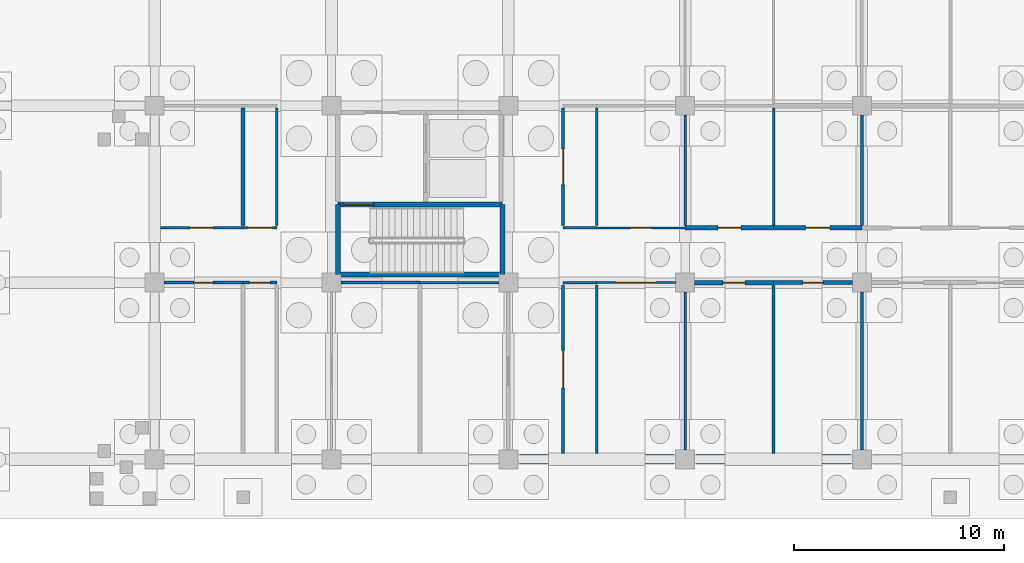
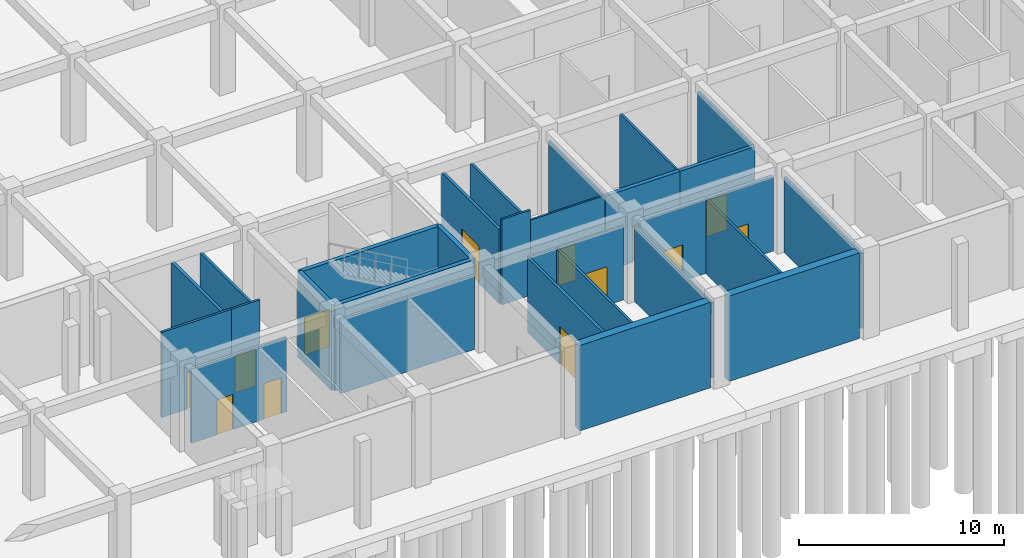
# One storey, part 33 of 65: 32 walls, 13 doors, 13 openings.
"""IFC4 building model written with IfcOpenShell, lengths in metres."""

from ifc_helpers import new_model, si_unit, direction, frame, frame_2d, origin, place, context, subcontext, project, spatial, rectangle, extrude, material, layer, layer_set, type_object, element, fill, save


model = new_model("IFC4")

# Units and contexts
model_context = context("Model", 3, precision=1e-05, world=origin(), true_north=direction((0.0, 1.0)))
body_context = subcontext(model_context, "Body", "Model", "MODEL_VIEW")
ifc_project = project(units=[si_unit("LENGTHUNIT", "METRE"), si_unit("AREAUNIT", "SQUARE_METRE"), si_unit("VOLUMEUNIT", "CUBIC_METRE"), si_unit("PLANEANGLEUNIT", "RADIAN"), si_unit("MASSUNIT", "GRAM", prefix="KILO")], contexts=[model_context])

# Site, building, storey
site_placement = place(None, origin())
site = spatial("IfcSite", under=ifc_project, at=site_placement, CompositionType="ELEMENT")
building_placement = place(site_placement, origin())
building = spatial("IfcBuilding", under=site, at=building_placement, Name="Bramfleet General Hospital", CompositionType="ELEMENT")
storey_placement = place(building_placement, frame((0.0, 0.0, -5.39990234375)))
storey = spatial("IfcBuildingStorey", under=building, at=storey_placement, Name="B1", CompositionType="ELEMENT", Elevation=-5.39990234375)

# Walls
ifc_material_1 = material(Name="Concrete C35/45", Category="concrete")
ifc_layer_1 = layer(ifc_material_1, 0.449951171875, Name="WT-EW-01")
ifc_layer_set_1 = layer_set([ifc_layer_1], Name="Concrete C35/45")
wall_type_1 = type_object("IfcWallType", Name="WT-EW-01", PredefinedType="SOLIDWALL", material=ifc_layer_set_1)
wall_1_placement = place(storey_placement, frame((125.47509765625, 0.0, 0.0), z_axis=(0.0, 0.0, 1.0), x_axis=(-1.0, 0.0, 0.0)))
element("IfcWall", 1, at=wall_1_placement, inside=storey, type_object=wall_type_1, Name="B1 Waterproof Retaining Wall 71", PredefinedType="SOLIDWALL", context=body_context, shape_type="SweptSolid", body=[
    extrude(rectangle(XDim=7.35009765625, YDim=0.449951171875, at=frame_2d((3.675048828125, 0.0))), origin(), (0.0, 0.0, 1.0), 5.079833984375),
])
wall_2_placement = place(storey_placement, frame((117.074951171875, 0.0, 0.0), z_axis=(0.0, 0.0, 1.0), x_axis=(-1.0, 0.0, 0.0)))
element("IfcWall", 2, at=wall_2_placement, inside=storey, type_object=wall_type_1, Name="B1 Waterproof Retaining Wall 72", PredefinedType="SOLIDWALL", context=body_context, shape_type="SweptSolid", body=[
    extrude(rectangle(XDim=7.349853515625, YDim=0.449951171875, at=frame_2d((3.6748046875, 0.0))), origin(), (0.0, 0.0, 1.0), 5.079833984375),
])

# Wall, opening, door
ifc_layer_2 = layer(ifc_material_1, 0.219970703125, Name="WT-IW-01")
ifc_layer_set_2 = layer_set([ifc_layer_2], Name="Concrete C35/45")
wall_type_2 = type_object("IfcWallType", Name="WT-IW-01", PredefinedType="PARTITIONING", material=ifc_layer_set_2)
wall_3_placement = place(storey_placement, frame((118.044921875, 8.39990234375, 0.0), z_axis=(0.0, 0.0, 1.0), x_axis=(1.0, 0.0, 0.0)))
wall_3 = element("IfcWall", 3, at=wall_3_placement, inside=storey, type_object=wall_type_2, Name="B1 Interior Partition IW-B1-0013", PredefinedType="PARTITIONING", context=body_context, shape_type="SweptSolid", body=[
    extrude(rectangle(XDim=3.755126953125, YDim=0.219970703125, at=frame_2d((1.87744140625, 0.0))), origin(), (0.0, 0.0, 1.0), 4.419921875),
])
opening_1_placement = place(wall_3_placement, frame((1.3525390625, 0.0, 0.0)))
opening_1 = element("IfcOpeningElement", 4, at=opening_1_placement, cuts=wall_3, Name="Opening D0329", PredefinedType="OPENING", context=body_context, shape_type="SweptSolid", body=[
    extrude(rectangle(XDim=1.050048828125, YDim=2.14990234375, at=frame_2d((0.52490234375, 1.074951171875))), frame((0.0, 0.119873046875, 0.0), z_axis=(0.0, -1.0, 0.0), x_axis=(1.0, 0.0, 0.0)), (0.0, 0.0, 1.0), 0.239990234375),
])
ifc_material_2 = material(Name="Stainless steel and acoustic timber leaf", Category="steel")
door_type_1 = type_object("IfcDoorType", Name="DR-D-09", OperationType="NOTDEFINED", PredefinedType="DOOR", material=ifc_material_2)
door_1_placement = place(opening_1_placement, origin())
door_1 = element("IfcDoor", 5, at=door_1_placement, inside=storey, type_object=door_type_1, Name="Clean Medical Supply Store B1-1400 Door D0329", OperationType="SINGLE_SWING_RIGHT", OverallHeight=2.14990234375, OverallWidth=1.050048828125, PredefinedType="DOOR", context=body_context, shape_type="SweptSolid", body=[
    extrude(rectangle(XDim=1.050048828125, YDim=2.14990234375, at=frame_2d((0.52490234375, 1.074951171875))), frame((0.0, 0.02490234375, 0.0), z_axis=(0.0, -1.0, 0.0), x_axis=(1.0, 0.0, 0.0)), (0.0, 0.0, 1.0), 0.050048828125),
])
fill(opening_1, door_1)

wall_4_placement = place(storey_placement, frame((117.60009765625, 11.0, 0.0), z_axis=(0.0, 0.0, 1.0), x_axis=(1.0, 0.0, 0.0)))
wall_4 = element("IfcWall", 6, at=wall_4_placement, inside=storey, type_object=wall_type_2, Name="B1 Interior Partition IW-B1-0037", PredefinedType="PARTITIONING", context=body_context, shape_type="SweptSolid", body=[
    extrude(rectangle(XDim=4.199951171875, YDim=0.219970703125, at=frame_2d((2.10009765625, 0.0))), origin(), (0.0, 0.0, 1.0), 4.469970703125),
])
opening_2_placement = place(wall_4_placement, frame((1.550048828125, 0.0, 0.0)))
opening_2 = element("IfcOpeningElement", 7, at=opening_2_placement, cuts=wall_4, Name="Opening D0331", PredefinedType="OPENING", context=body_context, shape_type="SweptSolid", body=[
    extrude(rectangle(XDim=1.10009765625, YDim=2.14990234375, at=frame_2d((0.550048828125, 1.074951171875))), frame((0.0, 0.119873046875, 0.0), z_axis=(0.0, -1.0, 0.0), x_axis=(1.0, 0.0, 0.0)), (0.0, 0.0, 1.0), 0.239990234375),
])
door_type_2 = type_object("IfcDoorType", Name="DR-D-11", OperationType="NOTDEFINED", PredefinedType="DOOR", material=ifc_material_2)
door_2_placement = place(opening_2_placement, origin())
door_2 = element("IfcDoor", 8, at=door_2_placement, inside=storey, type_object=door_type_2, Name="Clean Medical Supply Store B1-1401 Door D0331", OperationType="SINGLE_SWING_RIGHT", OverallHeight=2.14990234375, OverallWidth=1.10009765625, PredefinedType="DOOR", context=body_context, shape_type="SweptSolid", body=[
    extrude(rectangle(XDim=1.10009765625, YDim=2.14990234375, at=frame_2d((0.550048828125, 1.074951171875))), frame((0.0, 0.02490234375, 0.0), z_axis=(0.0, -1.0, 0.0), x_axis=(1.0, 0.0, 0.0)), (0.0, 0.0, 1.0), 0.050048828125),
])
fill(opening_2, door_2)

ifc_layer_3 = layer(ifc_material_1, 0.205078125, Name="WT-IW-02")
ifc_layer_set_3 = layer_set([ifc_layer_3], Name="Concrete C35/45")
wall_type_3 = type_object("IfcWallType", Name="WT-IW-02", PredefinedType="PARTITIONING", material=ifc_layer_set_3)
wall_5_placement = place(storey_placement, frame((121.800048828125, 8.39990234375, 0.0), z_axis=(0.0, 0.0, 1.0), x_axis=(1.0, 0.0, 0.0)))
wall_5 = element("IfcWall", 9, at=wall_5_placement, inside=storey, type_object=wall_type_3, Name="B1 Interior Partition IW-B1-0014", PredefinedType="PARTITIONING", context=body_context, shape_type="SweptSolid", body=[
    extrude(rectangle(XDim=3.7548828125, YDim=0.205078125, at=frame_2d((1.87744140625, 0.0))), origin(), (0.0, 0.0, 1.0), 4.419921875),
])
opening_3_placement = place(wall_5_placement, frame((1.402587890625, 0.0, 0.0)))
opening_3 = element("IfcOpeningElement", 10, at=opening_3_placement, cuts=wall_5, Name="Opening D0330", PredefinedType="OPENING", context=body_context, shape_type="SweptSolid", body=[
    extrude(rectangle(XDim=0.949951171875, YDim=2.10009765625, at=frame_2d((0.47509765625, 1.050048828125))), frame((0.0, 0.112548828125, 0.0), z_axis=(0.0, -1.0, 0.0), x_axis=(1.0, 0.0, 0.0)), (0.0, 0.0, 1.0), 0.22509765625),
])
door_type_3 = type_object("IfcDoorType", Name="DR-D-10", OperationType="NOTDEFINED", PredefinedType="DOOR", material=ifc_material_2)
door_3_placement = place(opening_3_placement, origin())
door_3 = element("IfcDoor", 11, at=door_3_placement, inside=storey, type_object=door_type_3, Name="Clinical Engineering Workshop B1-1400 Door D0330", OperationType="SINGLE_SWING_LEFT", OverallHeight=2.10009765625, OverallWidth=0.949951171875, PredefinedType="DOOR", context=body_context, shape_type="SweptSolid", body=[
    extrude(rectangle(XDim=0.949951171875, YDim=2.10009765625, at=frame_2d((0.47509765625, 1.050048828125))), frame((0.0, 0.02490234375, 0.0), z_axis=(0.0, -1.0, 0.0), x_axis=(1.0, 0.0, 0.0)), (0.0, 0.0, 1.0), 0.050048828125),
])
fill(opening_3, door_3)

wall_6_placement = place(storey_placement, frame((121.800048828125, 11.0, 0.0), z_axis=(0.0, 0.0, 1.0), x_axis=(1.0, 0.0, 0.0)))
wall_6 = element("IfcWall", 12, at=wall_6_placement, inside=storey, type_object=wall_type_3, Name="B1 Interior Partition IW-B1-0038", PredefinedType="PARTITIONING", context=body_context, shape_type="SweptSolid", body=[
    extrude(rectangle(XDim=4.199951171875, YDim=0.205078125, at=frame_2d((2.10009765625, 0.0))), origin(), (0.0, 0.0, 1.0), 4.469970703125),
])
opening_4_placement = place(wall_6_placement, frame((1.52490234375, 0.0, 0.0)))
opening_4 = element("IfcOpeningElement", 13, at=opening_4_placement, cuts=wall_6, Name="Opening D0332", PredefinedType="OPENING", context=body_context, shape_type="SweptSolid", body=[
    extrude(rectangle(XDim=1.14990234375, YDim=2.14990234375, at=frame_2d((0.574951171875, 1.074951171875))), frame((0.0, 0.112548828125, 0.0), z_axis=(0.0, -1.0, 0.0), x_axis=(1.0, 0.0, 0.0)), (0.0, 0.0, 1.0), 0.22509765625),
])
door_type_4 = type_object("IfcDoorType", Name="DR-D-12", OperationType="NOTDEFINED", PredefinedType="DOOR", material=ifc_material_2)
door_4_placement = place(opening_4_placement, origin())
door_4 = element("IfcDoor", 14, at=door_4_placement, inside=storey, type_object=door_type_4, Name="Clinical Engineering Workshop B1-1401 Door D0332", OperationType="SINGLE_SWING_LEFT", OverallHeight=2.14990234375, OverallWidth=1.14990234375, PredefinedType="DOOR", context=body_context, shape_type="SweptSolid", body=[
    extrude(rectangle(XDim=1.14990234375, YDim=2.14990234375, at=frame_2d((0.574951171875, 1.074951171875))), frame((0.0, 0.02490234375, 0.0), z_axis=(0.0, -1.0, 0.0), x_axis=(1.0, 0.0, 0.0)), (0.0, 0.0, 1.0), 0.050048828125),
])
fill(opening_4, door_4)

# Wall
ifc_layer_4 = layer(ifc_material_1, 0.179931640625, Name="WT-IW-04")
ifc_layer_set_4 = layer_set([ifc_layer_4], Name="Concrete C35/45")
wall_type_4 = type_object("IfcWallType", Name="WT-IW-04", PredefinedType="PARTITIONING", material=ifc_layer_set_4)
wall_7_placement = place(storey_placement, frame((96.60009765625, 11.114990234375, 0.0), z_axis=(0.0, 0.0, 1.0), x_axis=(0.0, 1.0, 0.0)))
element("IfcWall", 15, at=wall_7_placement, inside=storey, type_object=wall_type_4, Name="B1 Interior Partition IW-B1-0496", PredefinedType="PARTITIONING", context=body_context, shape_type="SweptSolid", body=[
    extrude(rectangle(XDim=5.570068359375, YDim=0.179931640625, at=frame_2d((2.78515625, 0.0))), origin(), (0.0, 0.0, 1.0), 4.419921875),
])

# Wall, opening, door
ifc_material_3 = material(Name="Gypsum plasterboard on acoustic steel studs", Category="steel")
ifc_layer_5 = layer(ifc_material_3, 0.159912109375, Name="WT-IW-06")
ifc_layer_set_5 = layer_set([ifc_layer_5], Name="Gypsum plasterboard on acoustic steel studs")
wall_type_5 = type_object("IfcWallType", Name="WT-IW-06", PredefinedType="PARTITIONING", material=ifc_layer_set_5)
wall_8_placement = place(storey_placement, frame((111.800048828125, 0.280029296875, 0.0), z_axis=(0.0, 0.0, 1.0), x_axis=(0.0, 1.0, 0.0)))
wall_8 = element("IfcWall", 16, at=wall_8_placement, inside=storey, type_object=wall_type_5, Name="B1 Interior Partition IW-B1-0510", PredefinedType="PARTITIONING", context=body_context, shape_type="SweptSolid", body=[
    extrude(rectangle(XDim=8.0048828125, YDim=0.159912109375, at=frame_2d((4.00244140625, 0.0))), origin(), (0.0, 0.0, 1.0), 4.419921875),
])
opening_5_placement = place(wall_8_placement, frame((3.1025390625, 0.0, 0.0)))
opening_5 = element("IfcOpeningElement", 17, at=opening_5_placement, cuts=wall_8, Name="Opening D0325", PredefinedType="OPENING", context=body_context, shape_type="SweptSolid", body=[
    extrude(rectangle(XDim=1.800048828125, YDim=2.25, at=frame_2d((0.89990234375, 1.125))), frame((0.0, 0.08984375, 0.0), z_axis=(0.0, -1.0, 0.0), x_axis=(1.0, 0.0, 0.0)), (0.0, 0.0, 1.0), 0.179931640625),
])
door_type_5 = type_object("IfcDoorType", Name="DR-D-05", OperationType="NOTDEFINED", PredefinedType="DOOR", material=ifc_material_2)
door_5_placement = place(opening_5_placement, origin())
door_5 = element("IfcDoor", 18, at=door_5_placement, inside=storey, type_object=door_type_5, Name="Clean Medical Supply Store B1-1300 Door D0325", OperationType="DOUBLE_SWING_RIGHT", OverallHeight=2.25, OverallWidth=1.800048828125, PredefinedType="DOOR", context=body_context, shape_type="SweptSolid", body=[
    extrude(rectangle(XDim=1.800048828125, YDim=2.25, at=frame_2d((0.89990234375, 1.125))), frame((0.0, 0.02490234375, 0.0), z_axis=(0.0, -1.0, 0.0), x_axis=(1.0, 0.0, 0.0)), (0.0, 0.0, 1.0), 0.050048828125),
])
fill(opening_5, door_5)

ifc_layer_6 = layer(ifc_material_3, 0.14990234375, Name="WT-IW-07")
ifc_layer_set_6 = layer_set([ifc_layer_6], Name="Gypsum plasterboard on acoustic steel studs")
wall_type_6 = type_object("IfcWallType", Name="WT-IW-07", PredefinedType="PARTITIONING", material=ifc_layer_set_6)
wall_9_placement = place(storey_placement, frame((92.844970703125, 8.39990234375, 0.0), z_axis=(0.0, 0.0, 1.0), x_axis=(1.0, 0.0, 0.0)))
wall_9 = element("IfcWall", 19, at=wall_9_placement, inside=storey, type_object=wall_type_6, Name="B1 Interior Partition IW-B1-0007", PredefinedType="PARTITIONING", context=body_context, shape_type="SweptSolid", body=[
    extrude(rectangle(XDim=3.755126953125, YDim=0.14990234375, at=frame_2d((1.87744140625, 0.0))), origin(), (0.0, 0.0, 1.0), 4.419921875),
])
opening_6_placement = place(wall_9_placement, frame((1.41748046875, 0.0, 0.0)))
opening_6 = element("IfcOpeningElement", 20, at=opening_6_placement, cuts=wall_9, Name="Opening D0313", PredefinedType="OPENING", context=body_context, shape_type="SweptSolid", body=[
    extrude(rectangle(XDim=0.919921875, YDim=2.080078125, at=frame_2d((0.4599609375, 1.0400390625))), frame((0.0, 0.0849609375, 0.0), z_axis=(0.0, -1.0, 0.0), x_axis=(1.0, 0.0, 0.0)), (0.0, 0.0, 1.0), 0.169921875),
])
door_type_6 = type_object("IfcDoorType", Name="DR-D-25", OperationType="NOTDEFINED", PredefinedType="DOOR", material=ifc_material_2)
door_6_placement = place(opening_6_placement, origin())
door_6 = element("IfcDoor", 21, at=door_6_placement, inside=storey, type_object=door_type_6, Name="Clean Medical Supply Store B1-1100 Door D0313", OperationType="SINGLE_SWING_RIGHT", OverallHeight=2.080078125, OverallWidth=0.919921875, PredefinedType="DOOR", context=body_context, shape_type="SweptSolid", body=[
    extrude(rectangle(XDim=0.919921875, YDim=2.080078125, at=frame_2d((0.4599609375, 1.0400390625))), frame((0.0, 0.02490234375, 0.0), z_axis=(0.0, -1.0, 0.0), x_axis=(1.0, 0.0, 0.0)), (0.0, 0.0, 1.0), 0.050048828125),
])
fill(opening_6, door_6)

wall_10_placement = place(storey_placement, frame((111.800048828125, 11.114990234375, 0.0), z_axis=(0.0, 0.0, 1.0), x_axis=(0.0, 1.0, 0.0)))
wall_10 = element("IfcWall", 22, at=wall_10_placement, inside=storey, type_object=wall_type_6, Name="B1 Interior Partition IW-B1-0511", PredefinedType="PARTITIONING", context=body_context, shape_type="SweptSolid", body=[
    extrude(rectangle(XDim=5.570068359375, YDim=0.14990234375, at=frame_2d((2.78515625, 0.0))), origin(), (0.0, 0.0, 1.0), 4.419921875),
])
opening_7_placement = place(wall_10_placement, frame((1.93505859375, 0.0, 0.0)))
opening_7 = element("IfcOpeningElement", 23, at=opening_7_placement, cuts=wall_10, Name="Opening D0327", PredefinedType="OPENING", context=body_context, shape_type="SweptSolid", body=[
    extrude(rectangle(XDim=1.699951171875, YDim=2.25, at=frame_2d((0.85009765625, 1.125))), frame((0.0, 0.0849609375, 0.0), z_axis=(0.0, -1.0, 0.0), x_axis=(1.0, 0.0, 0.0)), (0.0, 0.0, 1.0), 0.169921875),
])
door_type_7 = type_object("IfcDoorType", Name="DR-D-07", OperationType="NOTDEFINED", PredefinedType="DOOR", material=ifc_material_2)
door_7_placement = place(opening_7_placement, origin())
door_7 = element("IfcDoor", 24, at=door_7_placement, inside=storey, type_object=door_type_7, Name="Clean Medical Supply Store B1-1301 Door D0327", OperationType="DOUBLE_SWING_RIGHT", OverallHeight=2.25, OverallWidth=1.699951171875, PredefinedType="DOOR", context=body_context, shape_type="SweptSolid", body=[
    extrude(rectangle(XDim=1.699951171875, YDim=2.25, at=frame_2d((0.85009765625, 1.125))), frame((0.0, 0.02490234375, 0.0), z_axis=(0.0, -1.0, 0.0), x_axis=(1.0, 0.0, 0.0)), (0.0, 0.0, 1.0), 0.050048828125),
])
fill(opening_7, door_7)

ifc_layer_7 = layer(ifc_material_3, 0.139892578125, Name="WT-IW-08")
ifc_layer_set_7 = layer_set([ifc_layer_7], Name="Gypsum plasterboard on acoustic steel studs")
wall_type_7 = type_object("IfcWallType", Name="WT-IW-08", PredefinedType="PARTITIONING", material=ifc_layer_set_7)
wall_11_placement = place(storey_placement, frame((96.60009765625, 8.39990234375, 0.0), z_axis=(0.0, 0.0, 1.0), x_axis=(1.0, 0.0, 0.0)))
wall_11 = element("IfcWall", 25, at=wall_11_placement, inside=storey, type_object=wall_type_7, Name="B1 Interior Partition IW-B1-0008", PredefinedType="PARTITIONING", context=body_context, shape_type="SweptSolid", body=[
    extrude(rectangle(XDim=1.599853515625, YDim=0.139892578125, at=frame_2d((0.7998046875, 0.0))), origin(), (0.0, 0.0, 1.0), 4.419921875),
])
opening_8_placement = place(wall_11_placement, frame((0.31005859375, 0.0, 0.0)))
opening_8 = element("IfcOpeningElement", 26, at=opening_8_placement, cuts=wall_11, Name="Opening D0314", PredefinedType="OPENING", context=body_context, shape_type="SweptSolid", body=[
    extrude(rectangle(XDim=0.97998046875, YDim=2.1201171875, at=frame_2d((0.489990234375, 1.06005859375))), frame((0.0, 0.079833984375, 0.0), z_axis=(0.0, -1.0, 0.0), x_axis=(1.0, 0.0, 0.0)), (0.0, 0.0, 1.0), 0.159912109375),
])
door_type_8 = type_object("IfcDoorType", Name="DR-D-26", OperationType="NOTDEFINED", PredefinedType="DOOR", material=ifc_material_2)
door_8_placement = place(opening_8_placement, origin())
door_8 = element("IfcDoor", 27, at=door_8_placement, inside=storey, type_object=door_type_8, Name="Clinical Engineering Workshop B1-1100 Door D0314", OperationType="SINGLE_SWING_LEFT", OverallHeight=2.1201171875, OverallWidth=0.97998046875, PredefinedType="DOOR", context=body_context, shape_type="SweptSolid", body=[
    extrude(rectangle(XDim=0.97998046875, YDim=2.1201171875, at=frame_2d((0.489990234375, 1.06005859375))), frame((0.0, 0.02490234375, 0.0), z_axis=(0.0, -1.0, 0.0), x_axis=(1.0, 0.0, 0.0)), (0.0, 0.0, 1.0), 0.050048828125),
])
fill(opening_8, door_8)

# Walls
wall_12_placement = place(storey_placement, frame((98.199951171875, 11.114990234375, 0.0), z_axis=(0.0, 0.0, 1.0), x_axis=(0.0, 1.0, 0.0)))
element("IfcWall", 28, at=wall_12_placement, inside=storey, type_object=wall_type_7, Name="B1 Interior Partition IW-B1-0500", PredefinedType="PARTITIONING", context=body_context, shape_type="SweptSolid", body=[
    extrude(rectangle(XDim=5.570068359375, YDim=0.139892578125, at=frame_2d((2.78515625, 0.0))), origin(), (0.0, 0.0, 1.0), 4.419921875),
])
wall_13_placement = place(storey_placement, frame((113.39990234375, 0.280029296875, 0.0), z_axis=(0.0, 0.0, 1.0), x_axis=(0.0, 1.0, 0.0)))
element("IfcWall", 29, at=wall_13_placement, inside=storey, type_object=wall_type_7, Name="B1 Interior Partition IW-B1-0512", PredefinedType="PARTITIONING", context=body_context, shape_type="SweptSolid", body=[
    extrude(rectangle(XDim=8.0048828125, YDim=0.139892578125, at=frame_2d((4.00244140625, 0.0))), origin(), (0.0, 0.0, 1.0), 4.419921875),
])
wall_14_placement = place(storey_placement, frame((126.0, 0.445068359375, 0.0), z_axis=(0.0, 0.0, 1.0), x_axis=(0.0, 1.0, 0.0)))
element("IfcWall", 30, at=wall_14_placement, inside=storey, type_object=wall_type_7, Name="B1 Interior Partition IW-B1-0536", PredefinedType="PARTITIONING", context=body_context, shape_type="SweptSolid", body=[
    extrude(rectangle(XDim=7.510009765625, YDim=0.139892578125, at=frame_2d((3.7548828125, 0.0))), origin(), (0.0, 0.0, 1.0), 4.469970703125),
])
ifc_layer_8 = layer(ifc_material_3, 0.1298828125, Name="WT-IW-09")
ifc_layer_set_8 = layer_set([ifc_layer_8], Name="Gypsum plasterboard on acoustic steel studs")
wall_type_8 = type_object("IfcWallType", Name="WT-IW-09", PredefinedType="PARTITIONING", material=ifc_layer_set_8)
wall_15_placement = place(storey_placement, frame((101.2451171875, 8.39990234375, 0.0), z_axis=(0.0, 0.0, 1.0), x_axis=(1.0, 0.0, 0.0)))
element("IfcWall", 31, at=wall_15_placement, inside=storey, type_object=wall_type_8, Name="B1 Interior Partition IW-B1-0009", PredefinedType="PARTITIONING", context=body_context, shape_type="SweptSolid", body=[
    extrude(rectangle(XDim=3.7548828125, YDim=0.1298828125, at=frame_2d((1.87744140625, 0.0))), origin(), (0.0, 0.0, 1.0), 4.419921875),
])

# Wall, opening, door
wall_16_placement = place(storey_placement, frame((92.679931640625, 11.0, 0.0), z_axis=(0.0, 0.0, 1.0), x_axis=(1.0, 0.0, 0.0)))
wall_16 = element("IfcWall", 32, at=wall_16_placement, inside=storey, type_object=wall_type_8, Name="B1 Interior Partition IW-B1-0033", PredefinedType="PARTITIONING", context=body_context, shape_type="SweptSolid", body=[
    extrude(rectangle(XDim=3.920166015625, YDim=0.1298828125, at=frame_2d((1.9599609375, 0.0))), origin(), (0.0, 0.0, 1.0), 5.06982421875),
])
opening_9_placement = place(wall_16_placement, frame((1.39990234375, 0.0, 0.0)))
opening_9 = element("IfcOpeningElement", 33, at=opening_9_placement, cuts=wall_16, Name="Opening D0315", PredefinedType="OPENING", context=body_context, shape_type="SweptSolid", body=[
    extrude(rectangle(XDim=1.1201171875, YDim=2.179931640625, at=frame_2d((0.56005859375, 1.08984375))), frame((0.0, 0.074951171875, 0.0), z_axis=(0.0, -1.0, 0.0), x_axis=(1.0, 0.0, 0.0)), (0.0, 0.0, 1.0), 0.14990234375),
])
door_type_9 = type_object("IfcDoorType", Name="DR-D-27", OperationType="NOTDEFINED", PredefinedType="DOOR", material=ifc_material_2)
door_9_placement = place(opening_9_placement, origin())
door_9 = element("IfcDoor", 34, at=door_9_placement, inside=storey, type_object=door_type_9, Name="Clean Medical Supply Store B1-1101 Door D0315", OperationType="SINGLE_SWING_RIGHT", OverallHeight=2.179931640625, OverallWidth=1.1201171875, PredefinedType="DOOR", context=body_context, shape_type="SweptSolid", body=[
    extrude(rectangle(XDim=1.1201171875, YDim=2.179931640625, at=frame_2d((0.56005859375, 1.08984375))), frame((0.0, 0.02490234375, 0.0), z_axis=(0.0, -1.0, 0.0), x_axis=(1.0, 0.0, 0.0)), (0.0, 0.0, 1.0), 0.050048828125),
])
fill(opening_9, door_9)

# Walls
wall_17_placement = place(storey_placement, frame((113.39990234375, 11.114990234375, 0.0), z_axis=(0.0, 0.0, 1.0), x_axis=(0.0, 1.0, 0.0)))
element("IfcWall", 35, at=wall_17_placement, inside=storey, type_object=wall_type_8, Name="B1 Interior Partition IW-B1-0513", PredefinedType="PARTITIONING", context=body_context, shape_type="SweptSolid", body=[
    extrude(rectangle(XDim=5.570068359375, YDim=0.1298828125, at=frame_2d((2.78515625, 0.0))), origin(), (0.0, 0.0, 1.0), 4.419921875),
])
wall_18_placement = place(storey_placement, frame((121.800048828125, 0.280029296875, 0.0), z_axis=(0.0, 0.0, 1.0), x_axis=(0.0, 1.0, 0.0)))
element("IfcWall", 36, at=wall_18_placement, inside=storey, type_object=wall_type_8, Name="B1 Interior Partition IW-B1-0525", PredefinedType="PARTITIONING", context=body_context, shape_type="SweptSolid", body=[
    extrude(rectangle(XDim=8.0048828125, YDim=0.1298828125, at=frame_2d((4.00244140625, 0.0))), origin(), (0.0, 0.0, 1.0), 4.419921875),
])
wall_19_placement = place(storey_placement, frame((126.0, 11.114990234375, 0.0), z_axis=(0.0, 0.0, 1.0), x_axis=(0.0, 1.0, 0.0)))
element("IfcWall", 37, at=wall_19_placement, inside=storey, type_object=wall_type_8, Name="B1 Interior Partition IW-B1-0537", PredefinedType="PARTITIONING", context=body_context, shape_type="SweptSolid", body=[
    extrude(rectangle(XDim=5.239990234375, YDim=0.1298828125, at=frame_2d((2.6201171875, 0.0))), origin(), (0.0, 0.0, 1.0), 4.469970703125),
])
ifc_layer_9 = layer(ifc_material_3, 0.1201171875, Name="WT-IW-10")
ifc_layer_set_9 = layer_set([ifc_layer_9], Name="Gypsum plasterboard on acoustic steel studs")
wall_type_9 = type_object("IfcWallType", Name="WT-IW-10", PredefinedType="PARTITIONING", material=ifc_layer_set_9)
wall_20_placement = place(storey_placement, frame((105.0, 8.39990234375, 0.0), z_axis=(0.0, 0.0, 1.0), x_axis=(1.0, 0.0, 0.0)))
element("IfcWall", 38, at=wall_20_placement, inside=storey, type_object=wall_type_9, Name="B1 Interior Partition IW-B1-0010", PredefinedType="PARTITIONING", context=body_context, shape_type="SweptSolid", body=[
    extrude(rectangle(XDim=3.7548828125, YDim=0.1201171875, at=frame_2d((1.87744140625, 0.0))), origin(), (0.0, 0.0, 1.0), 4.419921875),
])

# Wall, opening, door
wall_21_placement = place(storey_placement, frame((96.60009765625, 11.0, 0.0), z_axis=(0.0, 0.0, 1.0), x_axis=(1.0, 0.0, 0.0)))
wall_21 = element("IfcWall", 39, at=wall_21_placement, inside=storey, type_object=wall_type_9, Name="B1 Interior Partition IW-B1-0034", PredefinedType="PARTITIONING", context=body_context, shape_type="SweptSolid", body=[
    extrude(rectangle(XDim=1.599853515625, YDim=0.1201171875, at=frame_2d((0.7998046875, 0.0))), origin(), (0.0, 0.0, 1.0), 5.06982421875),
])
opening_10_placement = place(wall_21_placement, frame((0.2099609375, 0.0, 0.0)))
opening_10 = element("IfcOpeningElement", 40, at=opening_10_placement, cuts=wall_21, Name="Opening D0316", PredefinedType="OPENING", context=body_context, shape_type="SweptSolid", body=[
    extrude(rectangle(XDim=1.179931640625, YDim=2.179931640625, at=frame_2d((0.58984375, 1.08984375))), frame((0.0, 0.070068359375, 0.0), z_axis=(0.0, -1.0, 0.0), x_axis=(1.0, 0.0, 0.0)), (0.0, 0.0, 1.0), 0.14013671875),
])
door_type_10 = type_object("IfcDoorType", Name="DR-D-28", OperationType="NOTDEFINED", PredefinedType="DOOR", material=ifc_material_2)
door_10_placement = place(opening_10_placement, origin())
door_10 = element("IfcDoor", 41, at=door_10_placement, inside=storey, type_object=door_type_10, Name="Clinical Engineering Workshop B1-1101 Door D0316", OperationType="SINGLE_SWING_LEFT", OverallHeight=2.179931640625, OverallWidth=1.179931640625, PredefinedType="DOOR", context=body_context, shape_type="SweptSolid", body=[
    extrude(rectangle(XDim=1.179931640625, YDim=2.179931640625, at=frame_2d((0.58984375, 1.08984375))), frame((0.0, 0.02490234375, 0.0), z_axis=(0.0, -1.0, 0.0), x_axis=(1.0, 0.0, 0.0)), (0.0, 0.0, 1.0), 0.050048828125),
])
fill(opening_10, door_10)

# Walls
wall_22_placement = place(storey_placement, frame((117.60009765625, 0.445068359375, 0.0), z_axis=(0.0, 0.0, 1.0), x_axis=(0.0, 1.0, 0.0)))
element("IfcWall", 42, at=wall_22_placement, inside=storey, type_object=wall_type_9, Name="B1 Interior Partition IW-B1-0514", PredefinedType="PARTITIONING", context=body_context, shape_type="SweptSolid", body=[
    extrude(rectangle(XDim=7.510009765625, YDim=0.1201171875, at=frame_2d((3.7548828125, 0.0))), origin(), (0.0, 0.0, 1.0), 4.469970703125),
])
wall_23_placement = place(storey_placement, frame((121.800048828125, 11.114990234375, 0.0), z_axis=(0.0, 0.0, 1.0), x_axis=(0.0, 1.0, 0.0)))
element("IfcWall", 43, at=wall_23_placement, inside=storey, type_object=wall_type_9, Name="B1 Interior Partition IW-B1-0526", PredefinedType="PARTITIONING", context=body_context, shape_type="SweptSolid", body=[
    extrude(rectangle(XDim=5.570068359375, YDim=0.1201171875, at=frame_2d((2.78515625, 0.0))), origin(), (0.0, 0.0, 1.0), 4.419921875),
])
ifc_layer_10 = layer(ifc_material_3, 0.112060546875, Name="WT-IW-11")
ifc_layer_set_10 = layer_set([ifc_layer_10], Name="Gypsum plasterboard on acoustic steel studs")
wall_type_10 = type_object("IfcWallType", Name="WT-IW-11", PredefinedType="PARTITIONING", material=ifc_layer_set_10)
wall_24_placement = place(storey_placement, frame((111.800048828125, 8.39990234375, 0.0), z_axis=(0.0, 0.0, 1.0), x_axis=(1.0, 0.0, 0.0)))
element("IfcWall", 44, at=wall_24_placement, inside=storey, type_object=wall_type_10, Name="B1 Interior Partition IW-B1-0011", PredefinedType="PARTITIONING", context=body_context, shape_type="SweptSolid", body=[
    extrude(rectangle(XDim=1.599853515625, YDim=0.112060546875, at=frame_2d((0.7998046875, 0.0))), origin(), (0.0, 0.0, 1.0), 4.419921875),
])
wall_25_placement = place(storey_placement, frame((111.800048828125, 11.0, 0.0), z_axis=(0.0, 0.0, 1.0), x_axis=(1.0, 0.0, 0.0)))
element("IfcWall", 45, at=wall_25_placement, inside=storey, type_object=wall_type_10, Name="B1 Interior Partition IW-B1-0035", PredefinedType="PARTITIONING", context=body_context, shape_type="SweptSolid", body=[
    extrude(rectangle(XDim=1.599853515625, YDim=0.112060546875, at=frame_2d((0.7998046875, 0.0))), origin(), (0.0, 0.0, 1.0), 5.06982421875),
])
wall_26_placement = place(storey_placement, frame((117.60009765625, 11.114990234375, 0.0), z_axis=(0.0, 0.0, 1.0), x_axis=(0.0, 1.0, 0.0)))
element("IfcWall", 46, at=wall_26_placement, inside=storey, type_object=wall_type_10, Name="B1 Interior Partition IW-B1-0515", PredefinedType="PARTITIONING", context=body_context, shape_type="SweptSolid", body=[
    extrude(rectangle(XDim=5.239990234375, YDim=0.112060546875, at=frame_2d((2.6201171875, 0.0))), origin(), (0.0, 0.0, 1.0), 4.469970703125),
])

# Wall, opening, door
ifc_layer_11 = layer(ifc_material_3, 0.10009765625, Name="WT-IW-12")
ifc_layer_set_11 = layer_set([ifc_layer_11], Name="Gypsum plasterboard on acoustic steel studs")
wall_type_11 = type_object("IfcWallType", Name="WT-IW-12", PredefinedType="PARTITIONING", material=ifc_layer_set_11)
wall_27_placement = place(storey_placement, frame((113.39990234375, 8.39990234375, 0.0), z_axis=(0.0, 0.0, 1.0), x_axis=(1.0, 0.0, 0.0)))
wall_27 = element("IfcWall", 47, at=wall_27_placement, inside=storey, type_object=wall_type_11, Name="B1 Interior Partition IW-B1-0012", PredefinedType="PARTITIONING", context=body_context, shape_type="SweptSolid", body=[
    extrude(rectangle(XDim=3.755126953125, YDim=0.10009765625, at=frame_2d((1.87744140625, 0.0))), origin(), (0.0, 0.0, 1.0), 4.419921875),
])
opening_11_placement = place(wall_27_placement, frame((0.927490234375, 0.0, 0.0)))
opening_11 = element("IfcOpeningElement", 48, at=opening_11_placement, cuts=wall_27, Name="Opening D0326", PredefinedType="OPENING", context=body_context, shape_type="SweptSolid", body=[
    extrude(rectangle(XDim=1.89990234375, YDim=2.300048828125, at=frame_2d((0.949951171875, 1.14990234375))), frame((0.0, 0.06005859375, 0.0), z_axis=(0.0, -1.0, 0.0), x_axis=(1.0, 0.0, 0.0)), (0.0, 0.0, 1.0), 0.1201171875),
])
door_type_11 = type_object("IfcDoorType", Name="DR-D-06", OperationType="NOTDEFINED", PredefinedType="DOOR", material=ifc_material_2)
door_11_placement = place(opening_11_placement, origin())
door_11 = element("IfcDoor", 49, at=door_11_placement, inside=storey, type_object=door_type_11, Name="Clinical Engineering Workshop B1-1300 Door D0326", OperationType="DOUBLE_SWING_LEFT", OverallHeight=2.300048828125, OverallWidth=1.89990234375, PredefinedType="DOOR", context=body_context, shape_type="SweptSolid", body=[
    extrude(rectangle(XDim=1.89990234375, YDim=2.300048828125, at=frame_2d((0.949951171875, 1.14990234375))), frame((0.0, 0.02490234375, 0.0), z_axis=(0.0, -1.0, 0.0), x_axis=(1.0, 0.0, 0.0)), (0.0, 0.0, 1.0), 0.050048828125),
])
fill(opening_11, door_11)

wall_28_placement = place(storey_placement, frame((113.39990234375, 11.0, 0.0), z_axis=(0.0, 0.0, 1.0), x_axis=(1.0, 0.0, 0.0)))
wall_28 = element("IfcWall", 50, at=wall_28_placement, inside=storey, type_object=wall_type_11, Name="B1 Interior Partition IW-B1-0036", PredefinedType="PARTITIONING", context=body_context, shape_type="SweptSolid", body=[
    extrude(rectangle(XDim=4.2001953125, YDim=0.10009765625, at=frame_2d((2.10009765625, 0.0))), origin(), (0.0, 0.0, 1.0), 4.469970703125),
])
opening_12_placement = place(wall_28_placement, frame((1.60009765625, 0.0, 0.0)))
opening_12 = element("IfcOpeningElement", 51, at=opening_12_placement, cuts=wall_28, Name="Opening D0328", PredefinedType="OPENING", context=body_context, shape_type="SweptSolid", body=[
    extrude(rectangle(XDim=1.0, YDim=2.14990234375, at=frame_2d((0.5, 1.074951171875))), frame((0.0, 0.06005859375, 0.0), z_axis=(0.0, -1.0, 0.0), x_axis=(1.0, 0.0, 0.0)), (0.0, 0.0, 1.0), 0.1201171875),
])
door_type_12 = type_object("IfcDoorType", Name="DR-D-08", OperationType="NOTDEFINED", PredefinedType="DOOR", material=ifc_material_2)
door_12_placement = place(opening_12_placement, origin())
door_12 = element("IfcDoor", 52, at=door_12_placement, inside=storey, type_object=door_type_12, Name="Clinical Engineering Workshop B1-1301 Door D0328", OperationType="SINGLE_SWING_LEFT", OverallHeight=2.14990234375, OverallWidth=1.0, PredefinedType="DOOR", context=body_context, shape_type="SweptSolid", body=[
    extrude(rectangle(XDim=1.0, YDim=2.14990234375, at=frame_2d((0.5, 1.074951171875))), frame((0.0, 0.02490234375, 0.0), z_axis=(0.0, -1.0, 0.0), x_axis=(1.0, 0.0, 0.0)), (0.0, 0.0, 1.0), 0.050048828125),
])
fill(opening_12, door_12)

# Walls
ifc_material_4 = material(Name="Concrete C40/50", Category="concrete")
ifc_layer_12 = layer(ifc_material_4, 0.239990234375, Name="WT-SW-240")
ifc_layer_set_12 = layer_set([ifc_layer_12], Name="Concrete C40/50")
wall_type_12 = type_object("IfcWallType", Name="WT-SW-240", PredefinedType="SHEAR", material=ifc_layer_set_12)
wall_29_placement = place(storey_placement, frame((101.10009765625, 8.780029296875, 0.0), z_axis=(0.0, 0.0, 1.0), x_axis=(1.0, 0.0, 0.0)))
element("IfcWall", 53, at=wall_29_placement, inside=storey, type_object=wall_type_12, Name="B1 C3 South Stair Shear Wall", PredefinedType="SHEAR", context=body_context, shape_type="SweptSolid", body=[
    extrude(rectangle(XDim=7.81982421875, YDim=0.239990234375, at=frame_2d((3.909912109375, 0.0))), origin(), (0.0, 0.0, 1.0), 5.079833984375),
])
for number, where, z_axis, x_axis, name in (
    (54, (101.10009765625, 8.780029296875, 0.0), (0.0, 0.0, 1.0), (0.0, 1.0, 0.0), "B1 C3 West Stair Shear Wall"),
    (55, (108.919921875, 8.780029296875, 0.0), (0.0, 0.0, 1.0), (0.0, 1.0, 0.0), "B1 C3 East Stair Shear Wall"),
):
    element("IfcWall", number, at=place(storey_placement, frame(where, z_axis=z_axis, x_axis=x_axis)), inside=storey, type_object=wall_type_12, Name=name, PredefinedType="SHEAR", context=body_context, shape_type="SweptSolid", body=[
        extrude(rectangle(XDim=3.320068359375, YDim=0.239990234375, at=frame_2d((1.66015625, 0.0))), origin(), (0.0, 0.0, 1.0), 5.079833984375),
    ])

# Wall, opening, door
wall_30_placement = place(storey_placement, frame((101.10009765625, 12.10009765625, 0.0), z_axis=(0.0, 0.0, 1.0), x_axis=(1.0, 0.0, 0.0)))
wall_30 = element("IfcWall", 56, at=wall_30_placement, inside=storey, type_object=wall_type_12, Name="B1 C3 Stair-Lobby Shear Wall", PredefinedType="SHEAR", context=body_context, shape_type="SweptSolid", body=[
    extrude(rectangle(XDim=7.81982421875, YDim=0.239990234375, at=frame_2d((3.909912109375, 0.0))), origin(), (0.0, 0.0, 1.0), 5.079833984375),
])
opening_13_placement = place(wall_30_placement, frame((0.25, 0.0, 0.0)))
opening_13 = element("IfcOpeningElement", 57, at=opening_13_placement, cuts=wall_30, Name="Opening D0019", PredefinedType="OPENING", context=body_context, shape_type="SweptSolid", body=[
    extrude(rectangle(XDim=1.449951171875, YDim=2.199951171875, at=frame_2d((0.72509765625, 1.10009765625))), frame((0.0, 0.1298828125, 0.0), z_axis=(0.0, -1.0, 0.0), x_axis=(1.0, 0.0, 0.0)), (0.0, 0.0, 1.0), 0.260009765625),
])
door_type_13 = type_object("IfcDoorType", Name="DR-D-03", OperationType="NOTDEFINED", PredefinedType="DOOR", material=ifc_material_2)
door_13_placement = place(opening_13_placement, origin())
door_13 = element("IfcDoor", 58, at=door_13_placement, inside=storey, type_object=door_type_13, Name="B1 C3 Escape Stair Fire Door D0019", OperationType="SINGLE_SWING_RIGHT", OverallHeight=2.199951171875, OverallWidth=1.449951171875, PredefinedType="DOOR", context=body_context, shape_type="SweptSolid", body=[
    extrude(rectangle(XDim=1.449951171875, YDim=2.199951171875, at=frame_2d((0.72509765625, 1.10009765625))), frame((0.0, 0.02490234375, 0.0), z_axis=(0.0, -1.0, 0.0), x_axis=(1.0, 0.0, 0.0)), (0.0, 0.0, 1.0), 0.050048828125),
])
fill(opening_13, door_13)

save(model, "model.ifc")
